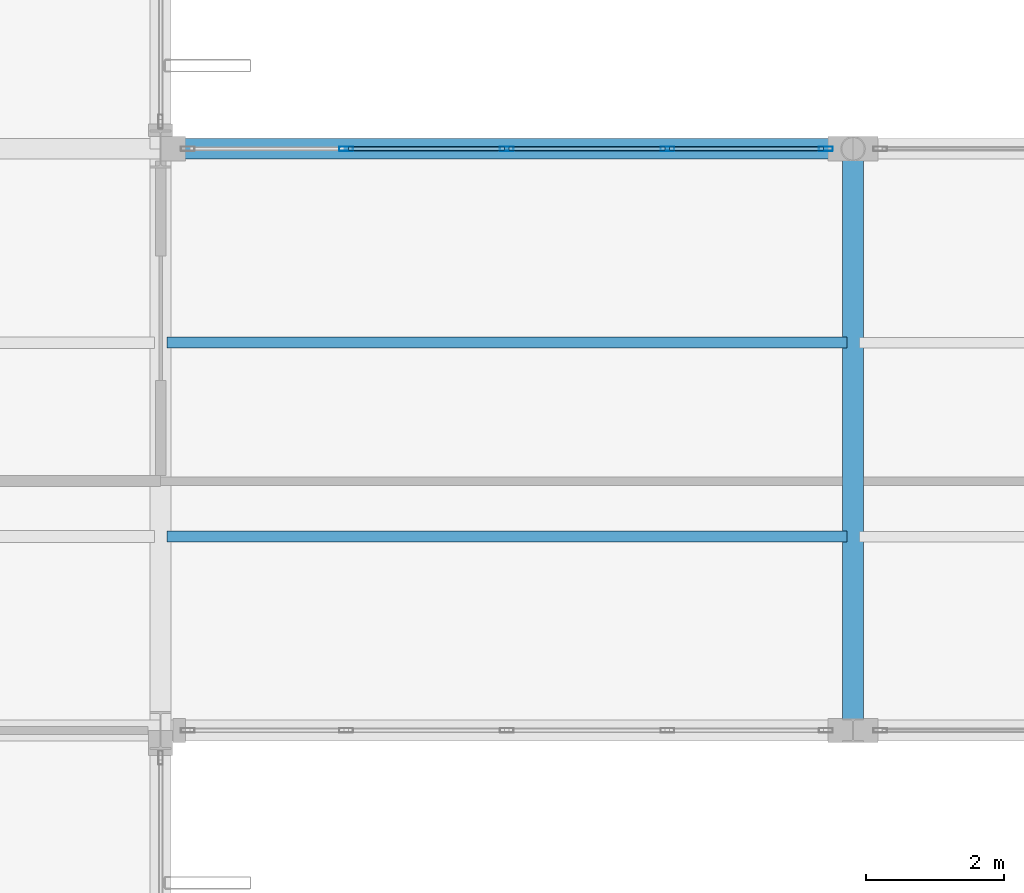
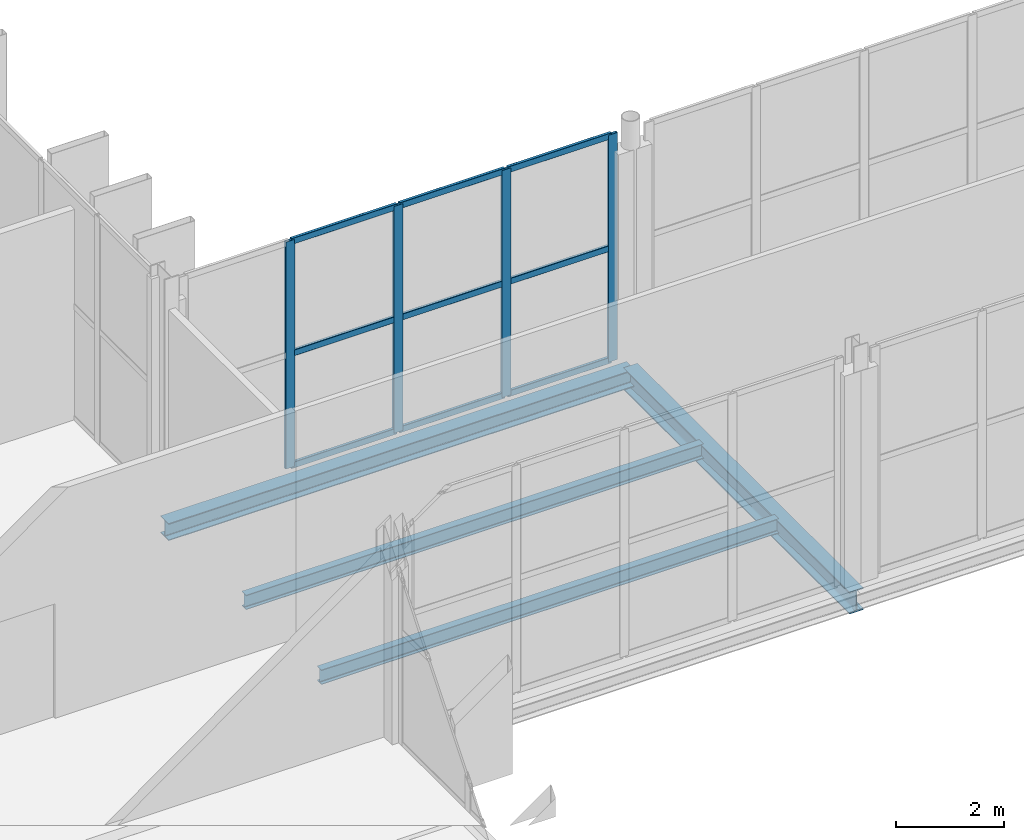
# One storey, part 85 of 147: 13 members, 4 beams, 1 element without a shape of its own.
"""IFC4 building model written with IfcOpenShell, lengths in metres."""

from ifc_helpers import new_model, si_unit, direction, frame, origin, origin_2d, place, context, subcontext, project, spatial, hollow_rectangle, i_section, extrude, material, layer, layer_set, material_profile, profile_set, type_object, element, aggregate, save


model = new_model("IFC4")

# Units and contexts
model_context = context("Model", 3, precision=1e-05, world=origin(), true_north=direction((0.0, 1.0)))
body_context = subcontext(model_context, "Body", "Model", "MODEL_VIEW")
ifc_project = project(units=[si_unit("LENGTHUNIT", "METRE"), si_unit("AREAUNIT", "SQUARE_METRE"), si_unit("VOLUMEUNIT", "CUBIC_METRE"), si_unit("PLANEANGLEUNIT", "RADIAN"), si_unit("MASSUNIT", "GRAM", prefix="KILO")], contexts=[model_context])

# Site, building, storey
site_placement = place(None, origin())
site = spatial("IfcSite", under=ifc_project, at=site_placement, CompositionType="ELEMENT")
building_placement = place(site_placement, origin())
building = spatial("IfcBuilding", under=site, at=building_placement, Name="Vekula Escarpment Museum", CompositionType="ELEMENT")
storey_placement = place(building_placement, frame((0.0, 0.0, 7.800048828125)))
storey = spatial("IfcBuildingStorey", under=building, at=storey_placement, Name="L02", CompositionType="ELEMENT", Elevation=7.800048828125)

# Beams
ifc_material_1 = material(Name="Steel S355", Category="steel")
ifc_material_profile_1 = material_profile(ifc_material_1, i_section(OverallWidth=0.300048828125, OverallDepth=0.5, WebThickness=0.014404296875, FlangeThickness=0.028076171875, FilletRadius=0.027099609375, at=origin_2d()), Name="HEB 500")
ifc_profile_set_1 = profile_set([ifc_material_profile_1], Name="Steel S355")
beam_type_1 = type_object("IfcBeamType", Name="BM-GIRD-HEB500", PredefinedType="BEAM", material=ifc_profile_set_1)
beam_1_placement = place(storey_placement, frame((136.0, 68.0, -0.510009765625), z_axis=(0.0, 1.0, 0.0), x_axis=(-1.0, 0.0, 0.0)))
element("IfcBeam", 1, at=beam_1_placement, inside=storey, type_object=beam_type_1, Name="Beam Y L02 1211", PredefinedType="BEAM", context=body_context, shape_type="SweptSolid", body=[
    extrude(i_section(OverallWidth=0.300048828125, OverallDepth=0.5, WebThickness=0.014404296875, FlangeThickness=0.028076171875, FilletRadius=0.027099609375, at=origin_2d()), origin(), (0.0, 0.0, 1.0), 8.39990234375),
])
ifc_material_2 = material(Name="Steel S355", Category="steel")
ifc_material_profile_2 = material_profile(ifc_material_2, i_section(OverallWidth=0.159912109375, OverallDepth=0.330078125, WebThickness=0.007568359375, FlangeThickness=0.011474609375, FilletRadius=0.01806640625, at=origin_2d()), Name="IPE 330")
ifc_profile_set_2 = profile_set([ifc_material_profile_2], Name="Steel S355")
beam_type_2 = type_object("IfcBeamType", Name="BM-JST-IPE330", PredefinedType="JOIST", material=ifc_profile_set_2)
for number, where, z_axis, x_axis, name in (
    (2, (126.090087890625, 70.800048828125, -0.425048828125), (1.0, 0.0, 0.0), (0.0, 1.0, 0.0), "Secondary Joist L02 0823"),
    (3, (126.090087890625, 73.60009765625, -0.425048828125), (1.0, 0.0, 0.0), (0.0, 1.0, 0.0), "Secondary Joist L02 0824"),
):
    element("IfcBeam", number, at=place(storey_placement, frame(where, z_axis=z_axis, x_axis=x_axis)), inside=storey, type_object=beam_type_2, Name=name, PredefinedType="JOIST", context=body_context, shape_type="SweptSolid", body=[
        extrude(i_section(OverallWidth=0.159912109375, OverallDepth=0.330078125, WebThickness=0.007568359375, FlangeThickness=0.011474609375, FilletRadius=0.01806640625, at=origin_2d()), origin(), (0.0, 0.0, 1.0), 9.81982421875),
    ])
ifc_material_3 = material(Name="Steel S355", Category="steel")
ifc_material_profile_3 = material_profile(ifc_material_3, i_section(OverallWidth=0.300048828125, OverallDepth=0.389892578125, WebThickness=0.010986328125, FlangeThickness=0.01904296875, FilletRadius=0.027099609375, at=origin_2d()), Name="HEA 400")
ifc_profile_set_3 = profile_set([ifc_material_profile_3], Name="Steel S355")
beam_type_3 = type_object("IfcBeamType", Name="BM-SPAN-HEA400", PredefinedType="SPANDREL", material=ifc_profile_set_3)
beam_2_placement = place(storey_placement, frame((126.0, 76.39990234375, -0.455078125), z_axis=(1.0, 0.0, 0.0), x_axis=(0.0, 1.0, 0.0)))
element("IfcBeam", 4, at=beam_2_placement, inside=storey, type_object=beam_type_3, Name="Beam X L02 0924", PredefinedType="SPANDREL", context=body_context, shape_type="SweptSolid", body=[
    extrude(i_section(OverallWidth=0.300048828125, OverallDepth=0.389892578125, WebThickness=0.010986328125, FlangeThickness=0.01904296875, FilletRadius=0.027099609375, at=origin_2d()), origin(), (0.0, 0.0, 1.0), 10.0),
])

# Curtain wall, members
ifc_material_4 = material(Name="Aluminium thermally broken framing", Category="aluminium")
ifc_layer = layer(ifc_material_4, 0.199951171875)
ifc_layer_set = layer_set([ifc_layer], Name="Aluminium thermally broken framing")
curtain_wall_type = type_object("IfcCurtainWallType", Name="CW-SYS-03", PredefinedType="NOTDEFINED", material=ifc_layer_set)
curtain_wall_placement = place(storey_placement, origin())
curtain_wall = element("IfcCurtainWall", 5, at=curtain_wall_placement, inside=storey, type_object=curtain_wall_type, Name="Curtain Wall CW-L02-073", PredefinedType="NOTDEFINED")
ifc_material_5 = material(Name="Aluminium anodized mullion", Category="aluminium")
ifc_material_profile_4 = material_profile(ifc_material_5, hollow_rectangle(XDim=0.06494140625, YDim=0.199951171875, WallThickness=0.00390625, InnerFilletRadius=0.00390625, OuterFilletRadius=0.008056640625, at=origin_2d()), Name="ALU 200x65x4")
ifc_profile_set_4 = profile_set([ifc_material_profile_4], Name="Aluminium anodized mullion")
member_type_1 = type_object("IfcMemberType", Name="CW-MUL-200", PredefinedType="MULLION", material=ifc_profile_set_4)
member_1_placement = place(storey_placement, frame((135.607421875, 76.39990234375, 0.0), z_axis=(0.0, 0.0, 1.0), x_axis=(0.0, -1.0, 0.0)))
member_1 = element("IfcMember", 6, at=member_1_placement, type_object=member_type_1, Name="CW-03 mullion 1", PredefinedType="MULLION", context=body_context, shape_type="SweptSolid", body=[
    extrude(hollow_rectangle(XDim=0.06494140625, YDim=0.199951171875, WallThickness=0.00390625, InnerFilletRadius=0.00390625, OuterFilletRadius=0.008056640625, at=origin_2d()), origin(), (0.0, 0.0, 1.0), 5.14990234375),
])
member_2_placement = place(storey_placement, frame((133.320068359375, 76.39990234375, 0.0), z_axis=(0.0, 0.0, 1.0), x_axis=(0.0, -1.0, 0.0)))
member_2 = element("IfcMember", 7, at=member_2_placement, type_object=member_type_1, Name="CW-03 mullion 2", PredefinedType="MULLION", context=body_context, shape_type="SweptSolid", body=[
    extrude(hollow_rectangle(XDim=0.06494140625, YDim=0.199951171875, WallThickness=0.00390625, InnerFilletRadius=0.00390625, OuterFilletRadius=0.008056640625, at=origin_2d()), origin(), (0.0, 0.0, 1.0), 5.14990234375),
])
member_3_placement = place(storey_placement, frame((131.0, 76.39990234375, 0.0), z_axis=(0.0, 0.0, 1.0), x_axis=(0.0, -1.0, 0.0)))
member_3 = element("IfcMember", 8, at=member_3_placement, type_object=member_type_1, Name="CW-03 mullion 3", PredefinedType="MULLION", context=body_context, shape_type="SweptSolid", body=[
    extrude(hollow_rectangle(XDim=0.06494140625, YDim=0.199951171875, WallThickness=0.00390625, InnerFilletRadius=0.00390625, OuterFilletRadius=0.008056640625, at=origin_2d()), origin(), (0.0, 0.0, 1.0), 5.14990234375),
])
member_4_placement = place(storey_placement, frame((128.679931640625, 76.39990234375, 0.0), z_axis=(0.0, 0.0, 1.0), x_axis=(0.0, -1.0, 0.0)))
member_4 = element("IfcMember", 9, at=member_4_placement, type_object=member_type_1, Name="CW-03 mullion 4", PredefinedType="MULLION", context=body_context, shape_type="SweptSolid", body=[
    extrude(hollow_rectangle(XDim=0.06494140625, YDim=0.199951171875, WallThickness=0.00390625, InnerFilletRadius=0.00390625, OuterFilletRadius=0.008056640625, at=origin_2d()), origin(), (0.0, 0.0, 1.0), 5.14990234375),
])
ifc_material_6 = material(Name="Aluminium anodized transom", Category="aluminium")
ifc_material_profile_5 = material_profile(ifc_material_6, hollow_rectangle(XDim=0.06494140625, YDim=0.139892578125, WallThickness=0.00390625, InnerFilletRadius=0.00390625, OuterFilletRadius=0.008056640625, at=origin_2d()), Name="ALU 140x65x4")
ifc_profile_set_5 = profile_set([ifc_material_profile_5], Name="Aluminium anodized transom")
member_type_2 = type_object("IfcMemberType", Name="CW-TRN-140", PredefinedType="USERDEFINED", material=ifc_profile_set_5)
member_5_placement = place(storey_placement, frame((135.574951171875, 76.39990234375, 0.032470703125), z_axis=(-1.0, 0.0, 0.0), x_axis=(0.0, -1.0, 0.0)))
member_5 = element("IfcMember", 10, at=member_5_placement, type_object=member_type_2, Name="CW-03 transom 1.1", ObjectType="TRANSOM", PredefinedType="USERDEFINED", context=body_context, shape_type="SweptSolid", body=[
    extrude(hollow_rectangle(XDim=0.06494140625, YDim=0.139892578125, WallThickness=0.00390625, InnerFilletRadius=0.00390625, OuterFilletRadius=0.008056640625, at=origin_2d()), origin(), (0.0, 0.0, 1.0), 2.222412109375),
])
member_6_placement = place(storey_placement, frame((135.574951171875, 76.39990234375, 2.574951171875), z_axis=(-1.0, 0.0, 0.0), x_axis=(0.0, -1.0, 0.0)))
member_6 = element("IfcMember", 11, at=member_6_placement, type_object=member_type_2, Name="CW-03 transom 1.2", ObjectType="TRANSOM", PredefinedType="USERDEFINED", context=body_context, shape_type="SweptSolid", body=[
    extrude(hollow_rectangle(XDim=0.06494140625, YDim=0.139892578125, WallThickness=0.00390625, InnerFilletRadius=0.00390625, OuterFilletRadius=0.008056640625, at=origin_2d()), origin(), (0.0, 0.0, 1.0), 2.222412109375),
])
member_7_placement = place(storey_placement, frame((135.574951171875, 76.39990234375, 5.117431640625), z_axis=(-1.0, 0.0, 0.0), x_axis=(0.0, -1.0, 0.0)))
member_7 = element("IfcMember", 12, at=member_7_placement, type_object=member_type_2, Name="CW-03 transom 1.3", ObjectType="TRANSOM", PredefinedType="USERDEFINED", context=body_context, shape_type="SweptSolid", body=[
    extrude(hollow_rectangle(XDim=0.06494140625, YDim=0.139892578125, WallThickness=0.00390625, InnerFilletRadius=0.00390625, OuterFilletRadius=0.008056640625, at=origin_2d()), origin(), (0.0, 0.0, 1.0), 2.222412109375),
])
member_8_placement = place(storey_placement, frame((133.28759765625, 76.39990234375, 0.032470703125), z_axis=(-1.0, 0.0, 0.0), x_axis=(0.0, -1.0, 0.0)))
member_8 = element("IfcMember", 13, at=member_8_placement, type_object=member_type_2, Name="CW-03 transom 2.1", ObjectType="TRANSOM", PredefinedType="USERDEFINED", context=body_context, shape_type="SweptSolid", body=[
    extrude(hollow_rectangle(XDim=0.06494140625, YDim=0.139892578125, WallThickness=0.00390625, InnerFilletRadius=0.00390625, OuterFilletRadius=0.008056640625, at=origin_2d()), origin(), (0.0, 0.0, 1.0), 2.255126953125),
])
member_9_placement = place(storey_placement, frame((133.28759765625, 76.39990234375, 2.574951171875), z_axis=(-1.0, 0.0, 0.0), x_axis=(0.0, -1.0, 0.0)))
member_9 = element("IfcMember", 14, at=member_9_placement, type_object=member_type_2, Name="CW-03 transom 2.2", ObjectType="TRANSOM", PredefinedType="USERDEFINED", context=body_context, shape_type="SweptSolid", body=[
    extrude(hollow_rectangle(XDim=0.06494140625, YDim=0.139892578125, WallThickness=0.00390625, InnerFilletRadius=0.00390625, OuterFilletRadius=0.008056640625, at=origin_2d()), origin(), (0.0, 0.0, 1.0), 2.255126953125),
])
member_10_placement = place(storey_placement, frame((133.28759765625, 76.39990234375, 5.117431640625), z_axis=(-1.0, 0.0, 0.0), x_axis=(0.0, -1.0, 0.0)))
member_10 = element("IfcMember", 15, at=member_10_placement, type_object=member_type_2, Name="CW-03 transom 2.3", ObjectType="TRANSOM", PredefinedType="USERDEFINED", context=body_context, shape_type="SweptSolid", body=[
    extrude(hollow_rectangle(XDim=0.06494140625, YDim=0.139892578125, WallThickness=0.00390625, InnerFilletRadius=0.00390625, OuterFilletRadius=0.008056640625, at=origin_2d()), origin(), (0.0, 0.0, 1.0), 2.255126953125),
])
member_11_placement = place(storey_placement, frame((130.967529296875, 76.39990234375, 0.032470703125), z_axis=(-1.0, 0.0, 0.0), x_axis=(0.0, -1.0, 0.0)))
member_11 = element("IfcMember", 16, at=member_11_placement, type_object=member_type_2, Name="CW-03 transom 3.1", ObjectType="TRANSOM", PredefinedType="USERDEFINED", context=body_context, shape_type="SweptSolid", body=[
    extrude(hollow_rectangle(XDim=0.06494140625, YDim=0.139892578125, WallThickness=0.00390625, InnerFilletRadius=0.00390625, OuterFilletRadius=0.008056640625, at=origin_2d()), origin(), (0.0, 0.0, 1.0), 2.255126953125),
])
member_12_placement = place(storey_placement, frame((130.967529296875, 76.39990234375, 2.574951171875), z_axis=(-1.0, 0.0, 0.0), x_axis=(0.0, -1.0, 0.0)))
member_12 = element("IfcMember", 17, at=member_12_placement, type_object=member_type_2, Name="CW-03 transom 3.2", ObjectType="TRANSOM", PredefinedType="USERDEFINED", context=body_context, shape_type="SweptSolid", body=[
    extrude(hollow_rectangle(XDim=0.06494140625, YDim=0.139892578125, WallThickness=0.00390625, InnerFilletRadius=0.00390625, OuterFilletRadius=0.008056640625, at=origin_2d()), origin(), (0.0, 0.0, 1.0), 2.255126953125),
])
member_13_placement = place(storey_placement, frame((130.967529296875, 76.39990234375, 5.117431640625), z_axis=(-1.0, 0.0, 0.0), x_axis=(0.0, -1.0, 0.0)))
member_13 = element("IfcMember", 18, at=member_13_placement, type_object=member_type_2, Name="CW-03 transom 3.3", ObjectType="TRANSOM", PredefinedType="USERDEFINED", context=body_context, shape_type="SweptSolid", body=[
    extrude(hollow_rectangle(XDim=0.06494140625, YDim=0.139892578125, WallThickness=0.00390625, InnerFilletRadius=0.00390625, OuterFilletRadius=0.008056640625, at=origin_2d()), origin(), (0.0, 0.0, 1.0), 2.255126953125),
])
aggregate(curtain_wall, [member_1, member_2, member_3, member_4, member_5, member_6, member_7, member_8, member_9, member_10, member_11, member_12, member_13])

save(model, "model.ifc")
